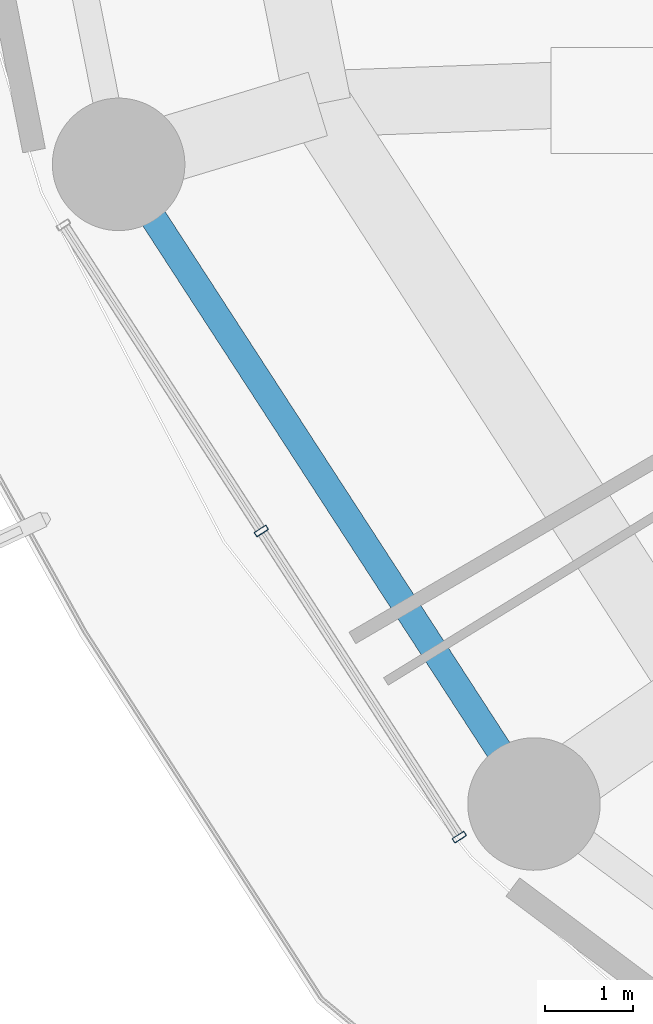
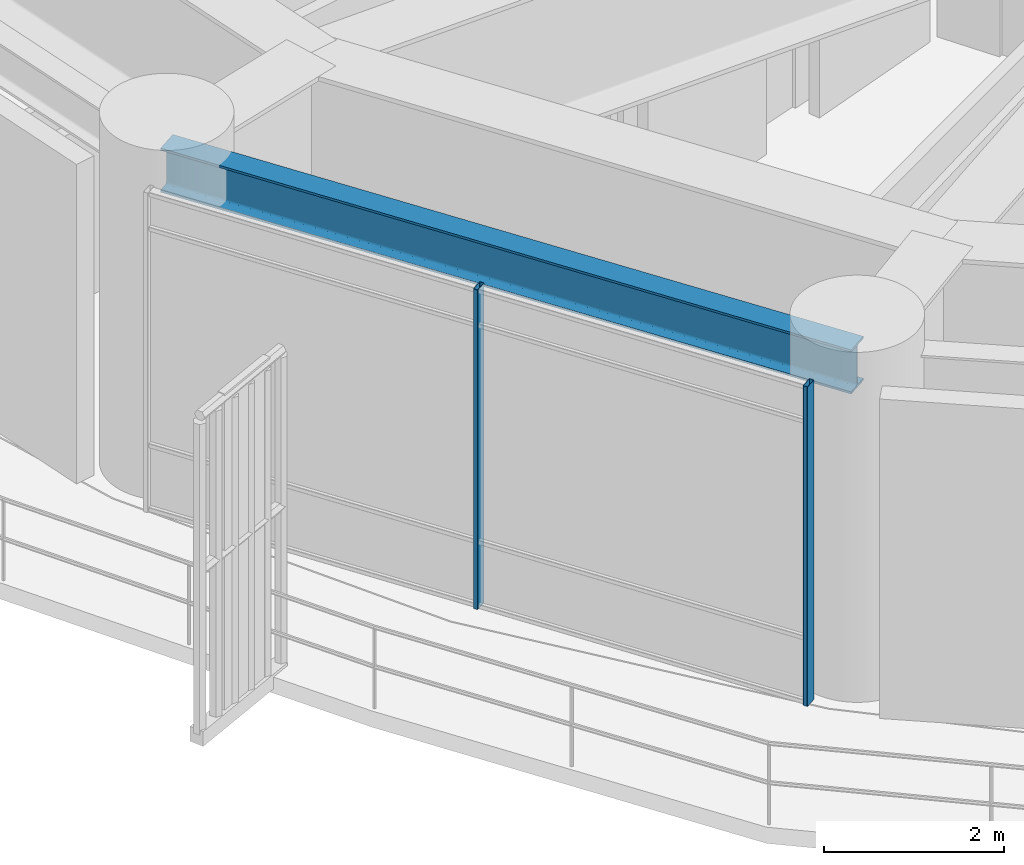
# One storey, part 2 of 31: 2 members, 1 beam, 1 element without a shape of its own.
"""IFC4 building model written with IfcOpenShell, lengths in metres."""

import ifcopenshell
import ifcopenshell.guid

model = None  # the IFC model being written
_history = None  # IfcOwnerHistory: only IFC2X3 demands one
_inside = {}  # id of a spatial element -> (the spatial element, [elements in it])
_under = {}  # id of a project, library or spatial element -> (it, [spatial elements below it])
_declared = {}  # id of a project -> (the project, [libraries it declares])
_typed = {}  # id of a type object -> (the type object, [elements of that type])
_made_of = {}  # id of a material, layer set ... -> (it, [elements and type objects made of it])


def new_model(schema):
    """Start an empty IFC model of exactly this schema.

    Asked for "IFC4X3", IfcOpenShell would pick the latest addendum, in which some entities
    have other attributes; the version numbers below select the first issue.
    IFC2X3 requires an IfcOwnerHistory on every rooted entity: one is made here for all.
    """
    global model, _history
    if schema == "IFC4X3":
        model = ifcopenshell.file(schema_version=(4, 3, 0, 0))
    else:
        model = ifcopenshell.file(schema=schema)
    _inside.clear()
    _under.clear()
    _declared.clear()
    _typed.clear()
    _made_of.clear()
    _history = None
    if model.schema == "IFC2X3":
        org = make("IfcOrganization", Name="unknown")
        user = make(
            "IfcPersonAndOrganization",
            ThePerson=make("IfcPerson", FamilyName="unknown"),
            TheOrganization=org,
        )
        app = make(
            "IfcApplication",
            ApplicationDeveloper=org,
            Version="unknown",
            ApplicationFullName="unknown",
            ApplicationIdentifier="unknown",
        )
        _history = make(
            "IfcOwnerHistory",
            OwningUser=user,
            OwningApplication=app,
            ChangeAction="ADDED",
            CreationDate=0,
        )
    return model


def make(cls, **values):
    """One entity of the class cls with the attributes given. An attribute that is None is left unset."""
    return model.create_entity(
        cls, **{name: value for name, value in values.items() if value is not None}
    )


def rooted(cls, **values):
    """An entity with a GlobalId (a new one), such as an element, a storey or a relation."""
    return make(cls, GlobalId=ifcopenshell.guid.new(), OwnerHistory=_history, **values)


def si_unit(unit_type, name, prefix=None):
    """IfcSIUnit, for example si_unit("LENGTHUNIT", "METRE", prefix="MILLI")."""
    return make("IfcSIUnit", UnitType=unit_type, Prefix=prefix, Name=name)


def assignment(units):
    """IfcUnitAssignment: the units of a project."""
    return None if units is None else make("IfcUnitAssignment", Units=units)


def point(xyz):
    """IfcCartesianPoint."""
    return None if xyz is None else make("IfcCartesianPoint", Coordinates=xyz)


def direction(xyz):
    """IfcDirection."""
    return None if xyz is None else make("IfcDirection", DirectionRatios=xyz)


def frame(location, z_axis=None, x_axis=None):
    """IfcAxis2Placement3D, a coordinate frame: its origin and axes. An axis left out is left unset."""
    return make(
        "IfcAxis2Placement3D",
        Location=point(location),
        Axis=direction(z_axis),
        RefDirection=direction(x_axis),
    )


def frame_2d(location, x_axis=None):
    """IfcAxis2Placement2D, a coordinate frame in the plane: its origin and x axis."""
    return make(
        "IfcAxis2Placement2D", Location=point(location), RefDirection=direction(x_axis)
    )


def origin():
    """The frame at (0, 0, 0) with its axes left unset."""
    return frame((0.0, 0.0, 0.0))


def origin_2d():
    """The frame at (0, 0) in the plane with its x axis left unset."""
    return frame_2d((0.0, 0.0))


def place(relative_to, where):
    """IfcLocalPlacement: puts the frame where relative to a parent placement (None: the world)."""
    return make(
        "IfcLocalPlacement", PlacementRelTo=relative_to, RelativePlacement=where
    )


def context(
    kind, dimensions, precision=None, world=None, true_north=None, identifier=None
):
    """IfcGeometricRepresentationContext, for example the 3D "Model" context."""
    return make(
        "IfcGeometricRepresentationContext",
        ContextIdentifier=identifier,
        ContextType=kind,
        CoordinateSpaceDimension=dimensions,
        Precision=precision,
        WorldCoordinateSystem=world,
        TrueNorth=true_north,
    )


def subcontext(parent, identifier, kind, view, scale=None):
    """IfcGeometricRepresentationSubContext, for example "Body" below "Model"."""
    return make(
        "IfcGeometricRepresentationSubContext",
        ContextIdentifier=identifier,
        ContextType=kind,
        ParentContext=parent,
        TargetScale=scale,
        TargetView=view,
    )


def project(units=None, contexts=None):
    """IfcProject with its units and contexts."""
    return rooted(
        "IfcProject",
        Name="project",
        RepresentationContexts=contexts,
        UnitsInContext=assignment(units),
    )


def spatial(cls, under=None, at=None, **own):
    """A site, building, storey or space (cls), placed at a placement, below another one or the project."""
    s = rooted(cls, ObjectPlacement=at, **own)
    if under is not None:
        _under.setdefault(under.id(), (under, []))[1].append(s)
    return s


def profile(cls, at=None, kind="AREA", **sizes):
    """A parametric profile (cls). Its sizes go by their IFC names, for example OverallWidth=200.0."""
    return make(cls, ProfileType=kind, Position=at, **sizes)


def hollow_rectangle(**sizes):
    """IfcRectangleHollowProfileDef."""
    return profile("IfcRectangleHollowProfileDef", **sizes)


def i_section(**sizes):
    """IfcIShapeProfileDef."""
    return profile("IfcIShapeProfileDef", **sizes)


def extrude(swept, where, along, depth):
    """IfcExtrudedAreaSolid: the profile swept, set in the frame where, extruded along a direction by depth."""
    return make(
        "IfcExtrudedAreaSolid",
        SweptArea=swept,
        Position=where,
        ExtrudedDirection=direction(along),
        Depth=depth,
    )


def shape(context_of_items, identifier, shape_type, items):
    """IfcShapeRepresentation: the items that make up one representation, for example the "Body"."""
    return make(
        "IfcShapeRepresentation",
        ContextOfItems=context_of_items,
        RepresentationIdentifier=identifier,
        RepresentationType=shape_type,
        Items=items,
    )


def material(Name=None, Category=None):
    """IfcMaterial."""
    return make("IfcMaterial", Name=Name, Category=Category)


def layer(
    of_material, thickness, ventilated=None, Name=None, Category=None, Priority=None
):
    """IfcMaterialLayer: one layer of a wall or slab, of a material (None: an air gap)."""
    return make(
        "IfcMaterialLayer",
        Material=of_material,
        LayerThickness=thickness,
        IsVentilated=ventilated,
        Name=Name,
        Category=Category,
        Priority=Priority,
    )


def layer_set(layers, Name=None):
    """IfcMaterialLayerSet."""
    return make("IfcMaterialLayerSet", MaterialLayers=layers, LayerSetName=Name)


def material_profile(
    of_material, cross_section, Name=None, Category=None, Priority=None
):
    """IfcMaterialProfile: a cross section and its material."""
    return make(
        "IfcMaterialProfile",
        Name=Name,
        Material=of_material,
        Profile=cross_section,
        Priority=Priority,
        Category=Category,
    )


def profile_set(profiles, Name=None, composite=None):
    """IfcMaterialProfileSet."""
    return make(
        "IfcMaterialProfileSet",
        Name=Name,
        MaterialProfiles=profiles,
        CompositeProfile=composite,
    )


def made_of(thing, what):
    """Note that an element or type object is made of a material, layer set ...; save() writes the relation."""
    if what is not None:
        _made_of.setdefault(what.id(), (what, []))[1].append(thing)
    return thing


def type_object(cls, material=None, **own):
    """A type object (cls), such as IfcWallType, which elements share."""
    return made_of(rooted(cls, **own), material)


def element(
    cls,
    number,
    at=None,
    inside=None,
    cuts=None,
    type_object=None,
    material=None,
    context=None,
    identifier="Body",
    shape_type=None,
    held_by="IfcProductDefinitionShape",
    body=None,
    shapes=None,
    **own,
):
    """One element of the class cls, such as IfcWall. Its Tag is "e" and its number.

    at: its placement. inside: the storey or other place that contains it. cuts: it is an
    opening in that element (IfcRelVoidsElement). A single representation is given by context,
    identifier, shape_type and body (its items); several are given by shapes. held_by: the class
    of the entity that holds the representations. save() writes the other relations.
    """
    e = rooted(cls, Tag="e%d" % number, ObjectPlacement=at, **own)
    if body is not None:
        shapes = [shape(context, identifier, shape_type, body)]
    if shapes is not None:
        e.Representation = make(held_by, Representations=shapes)
    if inside is not None:
        _inside.setdefault(inside.id(), (inside, []))[1].append(e)
    if cuts is not None:
        rooted(
            "IfcRelVoidsElement", RelatingBuildingElement=cuts, RelatedOpeningElement=e
        )
    if type_object is not None:
        _typed.setdefault(type_object.id(), (type_object, []))[1].append(e)
    return made_of(e, material)


def aggregate(whole, parts):
    """IfcRelAggregates: a whole, such as a stair, and the parts it consists of."""
    return rooted("IfcRelAggregates", RelatingObject=whole, RelatedObjects=parts)


def save(model, path):
    """Write the relations noted so far, then the file.

    IfcRelAggregates (storeys below a building ...), IfcRelContainedInSpatialStructure (elements
    in a storey), IfcRelDefinesByType, IfcRelAssociatesMaterial and IfcRelDeclares: one each for
    every whole, place, type object, material and project.
    """
    for whole, parts in _under.values():
        aggregate(whole, parts)
    for where, things in _inside.values():
        rooted(
            "IfcRelContainedInSpatialStructure",
            RelatedElements=things,
            RelatingStructure=where,
        )
    for kind, things in _typed.values():
        rooted("IfcRelDefinesByType", RelatedObjects=things, RelatingType=kind)
    for what, things in _made_of.values():
        rooted("IfcRelAssociatesMaterial", RelatedObjects=things, RelatingMaterial=what)
    for by, libraries in _declared.values():
        rooted("IfcRelDeclares", RelatingContext=by, RelatedDefinitions=libraries)
    model.write(path)


model = new_model("IFC4")

# Units and contexts
model_context = context("Model", 3, precision=1e-05, world=origin(), true_north=direction((0.0, 1.0)))
body_context = subcontext(model_context, "Body", "Model", "MODEL_VIEW")
ifc_project = project(units=[si_unit("LENGTHUNIT", "METRE"), si_unit("AREAUNIT", "SQUARE_METRE"), si_unit("VOLUMEUNIT", "CUBIC_METRE"), si_unit("PLANEANGLEUNIT", "RADIAN"), si_unit("MASSUNIT", "GRAM", prefix="KILO")], contexts=[model_context])

# Site, building, storey
site_placement = place(None, origin())
site = spatial("IfcSite", under=ifc_project, at=site_placement, CompositionType="ELEMENT")
building_placement = place(site_placement, origin())
building = spatial("IfcBuilding", under=site, at=building_placement, Name="Kelanora Arch Commons", CompositionType="ELEMENT")
storey_placement = place(building_placement, frame((0.0, 0.0, 67.5)))
storey = spatial("IfcBuildingStorey", under=building, at=storey_placement, Name="L17", CompositionType="ELEMENT", Elevation=67.5)

# Beam
ifc_material_1 = material(Name="Steel S355", Category="steel")
ifc_material_profile_1 = material_profile(ifc_material_1, i_section(OverallWidth=0.300048828125, OverallDepth=0.60009765625, WebThickness=0.015380859375, FlangeThickness=0.030029296875, FilletRadius=0.027099609375, at=origin_2d()), Name="HEB600")
ifc_profile_set_1 = profile_set([ifc_material_profile_1], Name="Steel S355")
beam_type = type_object("IfcBeamType", Name="BM-SPN-Z1", PredefinedType="SPANDREL", material=ifc_profile_set_1)
beam_placement = place(storey_placement, frame((48.552978515625, 49.76416015625, 4.06005859375), z_axis=(0.544585813928, -0.838705127722, 0.0), x_axis=(0.838705127722, 0.544585813928, 0.0)))
element("IfcBeam", 1, at=beam_placement, inside=storey, type_object=beam_type, Name="Perimeter Spandrel Beam BS-20 L17", PredefinedType="SPANDREL", context=body_context, shape_type="SweptSolid", body=[
    extrude(i_section(OverallWidth=0.300048828125, OverallDepth=0.60009765625, WebThickness=0.015380859375, FlangeThickness=0.030029296875, FilletRadius=0.027099609375, at=origin_2d()), origin(), (0.0, 0.0, 1.0), 8.63525390625),
])

# Curtain wall, members
ifc_material_2 = material(Name="Terracotta ceramic-fritted low-E glass and aluminium", Category="masonry")
ifc_layer = layer(ifc_material_2, 0.159912109375)
ifc_layer_set = layer_set([ifc_layer], Name="Terracotta ceramic-fritted low-E glass and aluminium")
curtain_wall_type = type_object("IfcCurtainWallType", Name="CW-SYS-01", PredefinedType="NOTDEFINED", material=ifc_layer_set)
curtain_wall_placement = place(storey_placement, origin())
curtain_wall = element("IfcCurtainWall", 2, at=curtain_wall_placement, inside=storey, type_object=curtain_wall_type, Name="Unitised Curtain Wall L17-B10", PredefinedType="NOTDEFINED")
ifc_material_3 = material(Name="Powder-coated aluminium terracotta", Category="masonry")
ifc_material_profile_2 = material_profile(ifc_material_3, hollow_rectangle(XDim=0.159912109375, YDim=0.06005859375, WallThickness=0.0048828125, InnerFilletRadius=0.0048828125, OuterFilletRadius=0.010009765625, at=origin_2d()), Name="CWM160x60")
ifc_profile_set_2 = profile_set([ifc_material_profile_2], Name="Powder-coated aluminium terracotta")
member_type = type_object("IfcMemberType", Name="CWM-STD", PredefinedType="MULLION", material=ifc_profile_set_2)
member_1_placement = place(storey_placement, frame((50.169189453125, 45.61328125, 0.0), z_axis=(0.0, 0.0, 1.0), x_axis=(0.83972982332, 0.543004441812, 0.0)))
member_1 = element("IfcMember", 3, at=member_1_placement, type_object=member_type, Name="CW-01 mullion 2", PredefinedType="MULLION", context=body_context, shape_type="SweptSolid", body=[
    extrude(hollow_rectangle(XDim=0.159912109375, YDim=0.06005859375, WallThickness=0.0048828125, InnerFilletRadius=0.0048828125, OuterFilletRadius=0.010009765625, at=origin_2d()), origin(), (0.0, 0.0, 1.0), 4.344970703125),
])
member_2_placement = place(storey_placement, frame((52.41064453125, 42.14697265625, 0.0), z_axis=(0.0, 0.0, 1.0), x_axis=(0.83972982332, 0.543004441812, 0.0)))
member_2 = element("IfcMember", 4, at=member_2_placement, type_object=member_type, Name="CW-01 mullion 3", PredefinedType="MULLION", context=body_context, shape_type="SweptSolid", body=[
    extrude(hollow_rectangle(XDim=0.159912109375, YDim=0.06005859375, WallThickness=0.0048828125, InnerFilletRadius=0.0048828125, OuterFilletRadius=0.010009765625, at=origin_2d()), origin(), (0.0, 0.0, 1.0), 4.344970703125),
])
aggregate(curtain_wall, [member_1, member_2])

save(model, "model.ifc")
